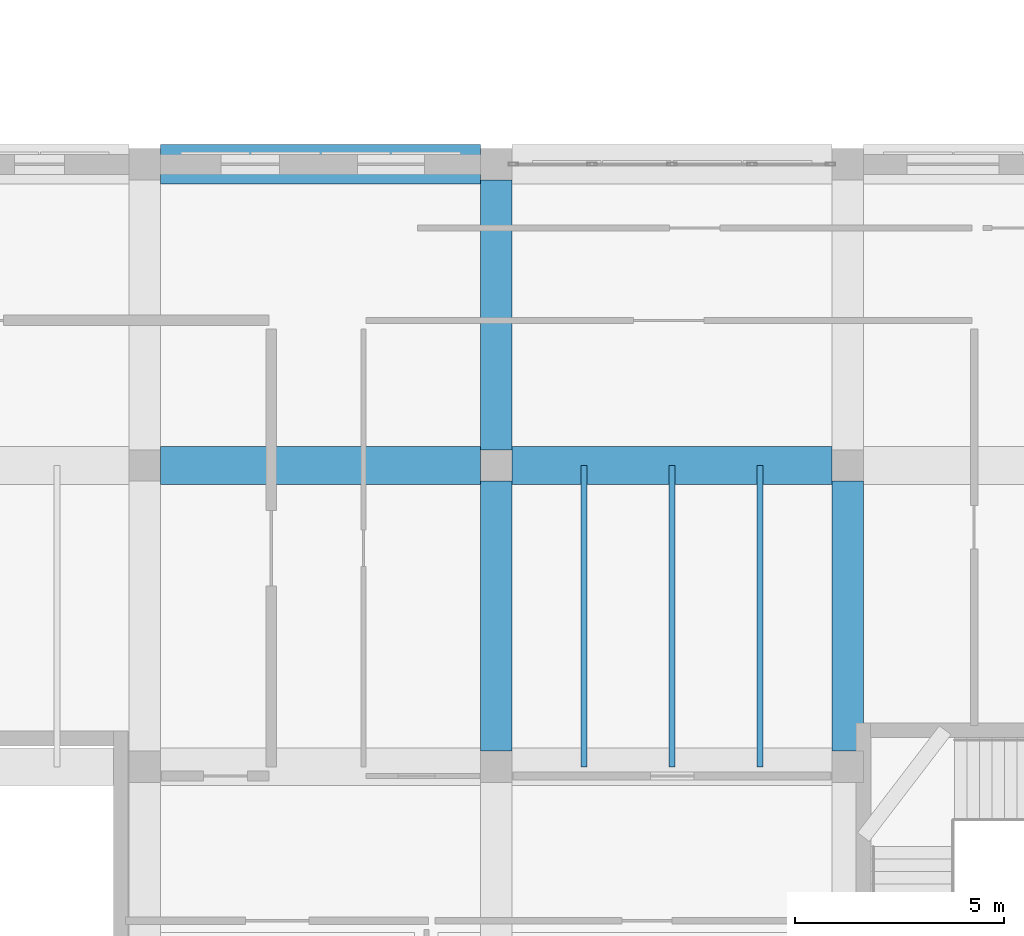
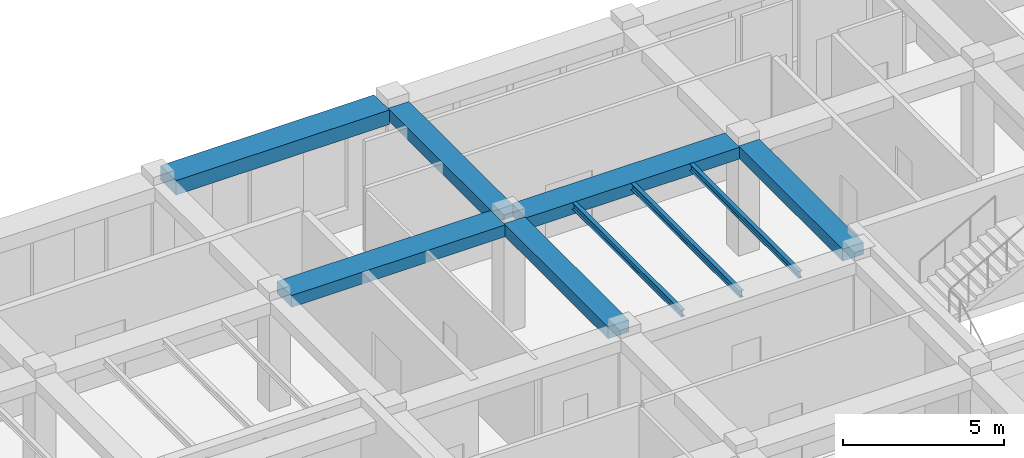
# One storey, part 27 of 111: 9 beams.
"""IFC4 building model written with IfcOpenShell, lengths in metres."""

from ifc_helpers import new_model, si_unit, derived_unit, direction, frame, origin, origin_2d, place, context, subcontext, project, spatial, rectangle, i_section, extrude, material, material_profile, profile_set, type_object, element, save


model = new_model("IFC4")

# Units and contexts
model_context = context("Model", 3, precision=1e-05, world=origin(), true_north=direction((0.0, 1.0)))
body_context = subcontext(model_context, "Body", "Model", "MODEL_VIEW")
ifc_project = project(units=[si_unit("LENGTHUNIT", "METRE"), si_unit("AREAUNIT", "SQUARE_METRE"), si_unit("VOLUMEUNIT", "CUBIC_METRE"), si_unit("PLANEANGLEUNIT", "RADIAN"), si_unit("MASSUNIT", "GRAM", prefix="KILO"), derived_unit("THERMALTRANSMITTANCEUNIT", [(si_unit("POWERUNIT", "WATT"), 1), (si_unit("LENGTHUNIT", "METRE"), -2), (si_unit("THERMODYNAMICTEMPERATUREUNIT", "KELVIN"), -1)])], contexts=[model_context])

# Site, building, storey
site_placement = place(None, origin())
site = spatial("IfcSite", under=ifc_project, at=site_placement, CompositionType="ELEMENT")
building_placement = place(site_placement, origin())
building = spatial("IfcBuilding", under=site, at=building_placement, Name="Veybourne Emporium", CompositionType="ELEMENT")
storey_placement = place(building_placement, frame((0.0, 0.0, 9.89990234375)))
storey = spatial("IfcBuildingStorey", under=building, at=storey_placement, Name="L02", CompositionType="ELEMENT", Elevation=9.89990234375)

# Beams
ifc_material_1 = material(Name="Concrete C32/40", Category="concrete")
ifc_material_profile_1 = material_profile(ifc_material_1, rectangle(XDim=0.89990234375, YDim=0.449951171875, at=origin_2d()), Name="RC 900x450")
ifc_profile_set_1 = profile_set([ifc_material_profile_1], Name="Concrete C32/40")
beam_type_1 = type_object("IfcBeamType", Name="RCBeam_BB-03", PredefinedType="BEAM", material=ifc_profile_set_1)
beam_1_placement = place(storey_placement, frame((109.574951171875, 21.60009765625, 3.955078125), z_axis=(1.0, 0.0, 0.0), x_axis=(0.0, 1.0, 0.0)))
element("IfcBeam", 1, at=beam_1_placement, inside=storey, type_object=beam_type_1, Name="L02 X-grid beam BB-03 (13,3)", PredefinedType="BEAM", context=body_context, shape_type="SweptSolid", body=[
    extrude(rectangle(XDim=0.89990234375, YDim=0.449951171875, at=origin_2d()), origin(), (0.0, 0.0, 1.0), 7.650146484375),
])
beam_2_placement = place(storey_placement, frame((117.97509765625, 21.60009765625, 3.955078125), z_axis=(1.0, 0.0, 0.0), x_axis=(0.0, 1.0, 0.0)))
element("IfcBeam", 2, at=beam_2_placement, inside=storey, type_object=beam_type_1, Name="L02 X-grid beam BB-03 (14,3)", PredefinedType="BEAM", context=body_context, shape_type="SweptSolid", body=[
    extrude(rectangle(XDim=0.89990234375, YDim=0.449951171875, at=origin_2d()), origin(), (0.0, 0.0, 1.0), 7.64990234375),
])
ifc_material_profile_2 = material_profile(ifc_material_1, rectangle(XDim=0.75, YDim=0.449951171875, at=origin_2d()), Name="RC 750x450")
ifc_profile_set_2 = profile_set([ifc_material_profile_2], Name="Concrete C32/40")
beam_type_2 = type_object("IfcBeamType", Name="RCBeam_BB-04", PredefinedType="BEAM", material=ifc_profile_set_2)
beam_3_placement = place(storey_placement, frame((117.60009765625, 14.77490234375, 3.955078125), z_axis=(0.0, 1.0, 0.0), x_axis=(-1.0, 0.0, 0.0)))
element("IfcBeam", 3, at=beam_3_placement, inside=storey, type_object=beam_type_2, Name="L02 Y-grid beam BB-04 (14,2)", PredefinedType="BEAM", context=body_context, shape_type="SweptSolid", body=[
    extrude(rectangle(XDim=0.75, YDim=0.449951171875, at=origin_2d()), origin(), (0.0, 0.0, 1.0), 6.4501953125),
])
beam_4_placement = place(storey_placement, frame((117.60009765625, 21.97509765625, 3.955078125), z_axis=(0.0, 1.0, 0.0), x_axis=(-1.0, 0.0, 0.0)))
element("IfcBeam", 4, at=beam_4_placement, inside=storey, type_object=beam_type_2, Name="L02 Y-grid beam BB-04 (14,3)", PredefinedType="BEAM", context=body_context, shape_type="SweptSolid", body=[
    extrude(rectangle(XDim=0.75, YDim=0.449951171875, at=origin_2d()), origin(), (0.0, 0.0, 1.0), 6.449951171875),
])
beam_5_placement = place(storey_placement, frame((126.0, 14.77490234375, 3.955078125), z_axis=(0.0, 1.0, 0.0), x_axis=(-1.0, 0.0, 0.0)))
element("IfcBeam", 5, at=beam_5_placement, inside=storey, type_object=beam_type_2, Name="L02 Y-grid beam BB-04 (15,2)", PredefinedType="BEAM", context=body_context, shape_type="SweptSolid", body=[
    extrude(rectangle(XDim=0.75, YDim=0.449951171875, at=origin_2d()), origin(), (0.0, 0.0, 1.0), 6.4501953125),
])
ifc_material_profile_3 = material_profile(ifc_material_1, rectangle(XDim=0.949951171875, YDim=0.550048828125, at=origin_2d()), Name="RC 950x550")
ifc_profile_set_3 = profile_set([ifc_material_profile_3], Name="Concrete C32/40")
beam_type_3 = type_object("IfcBeamType", Name="RCBeam_EB-01", PredefinedType="SPANDREL", material=ifc_profile_set_3)
beam_6_placement = place(storey_placement, frame((109.574951171875, 28.800048828125, 3.905029296875), z_axis=(1.0, 0.0, 0.0), x_axis=(0.0, 1.0, 0.0)))
element("IfcBeam", 6, at=beam_6_placement, inside=storey, type_object=beam_type_3, Name="L02 X-grid beam EB-01 (13,4)", PredefinedType="SPANDREL", context=body_context, shape_type="SweptSolid", body=[
    extrude(rectangle(XDim=0.949951171875, YDim=0.550048828125, at=origin_2d()), origin(), (0.0, 0.0, 1.0), 7.650146484375),
])
ifc_material_2 = material(Name="Steel S355", Category="steel")
ifc_material_profile_4 = material_profile(ifc_material_2, i_section(OverallWidth=0.14599609375, OverallDepth=0.25146484375, WebThickness=0.006103515625, FlangeThickness=0.008544921875, FilletRadius=0.007568359375, at=origin_2d()), Name="UKB 254x146x31")
ifc_profile_set_4 = profile_set([ifc_material_profile_4], Name="Steel S355")
beam_type_4 = type_object("IfcBeamType", Name="SteelBeam_FJ-01", PredefinedType="JOIST", material=ifc_profile_set_4)
for number, where, z_axis, x_axis, name in (
    (7, (119.699951171875, 14.39990234375, 4.052978515625), (0.0, 1.0, 0.0), (-1.0, 0.0, 0.0), "Food hall secondary floor joist 13"),
    (8, (121.800048828125, 14.39990234375, 4.052978515625), (0.0, 1.0, 0.0), (-1.0, 0.0, 0.0), "Food hall secondary floor joist 14"),
    (9, (123.89990234375, 14.39990234375, 4.052978515625), (0.0, 1.0, 0.0), (-1.0, 0.0, 0.0), "Food hall secondary floor joist 15"),
):
    element("IfcBeam", number, at=place(storey_placement, frame(where, z_axis=z_axis, x_axis=x_axis)), inside=storey, type_object=beam_type_4, Name=name, PredefinedType="JOIST", context=body_context, shape_type="SweptSolid", body=[
        extrude(i_section(OverallWidth=0.14599609375, OverallDepth=0.25146484375, WebThickness=0.006103515625, FlangeThickness=0.008544921875, FilletRadius=0.007568359375, at=origin_2d()), origin(), (0.0, 0.0, 1.0), 7.2001953125),
    ])

save(model, "model.ifc")
